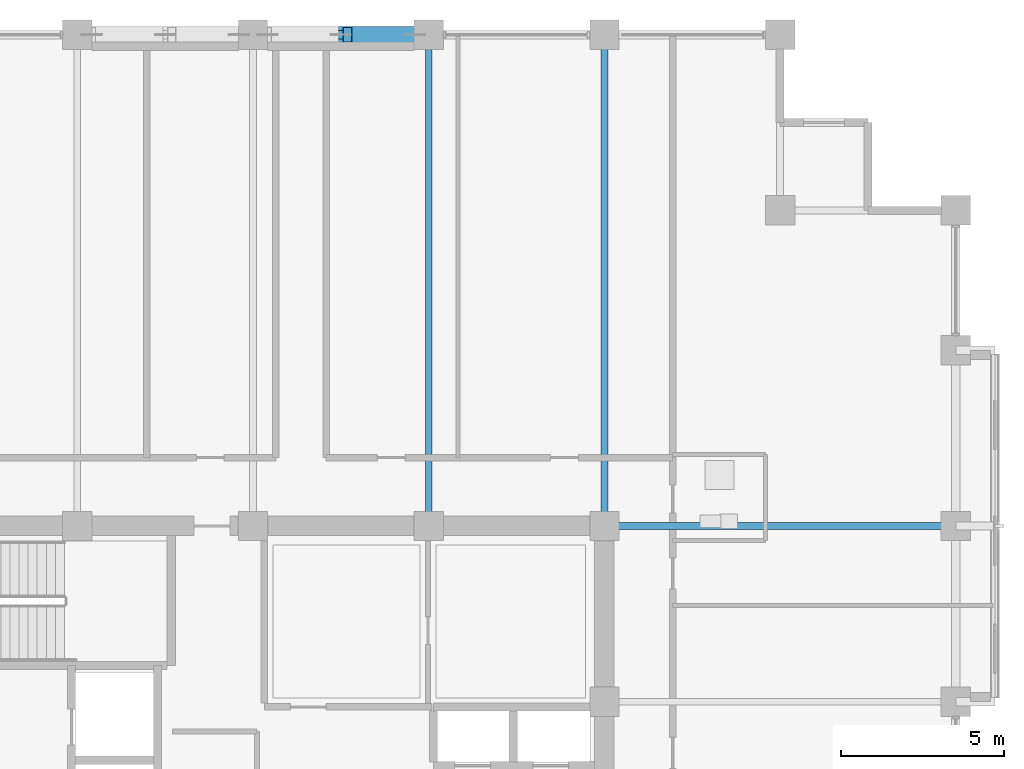
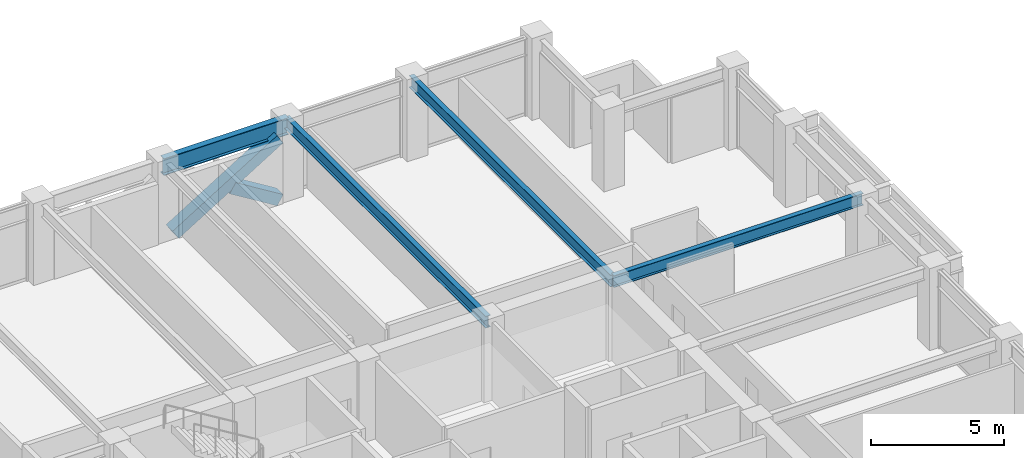
# One storey, part 21 of 32: 4 beams, 2 members.
"""IFC4 building model written with IfcOpenShell, lengths in metres."""

from ifc_helpers import new_model, si_unit, direction, frame, origin, origin_2d, place, context, subcontext, project, spatial, hollow_rectangle, i_section, extrude, material, material_profile, profile_set, type_object, element, save


model = new_model("IFC4")

# Units and contexts
model_context = context("Model", 3, precision=1e-05, world=origin(), true_north=direction((0.0, 1.0)))
body_context = subcontext(model_context, "Body", "Model", "MODEL_VIEW")
ifc_project = project(units=[si_unit("LENGTHUNIT", "METRE"), si_unit("AREAUNIT", "SQUARE_METRE"), si_unit("VOLUMEUNIT", "CUBIC_METRE"), si_unit("PLANEANGLEUNIT", "RADIAN"), si_unit("MASSUNIT", "GRAM", prefix="KILO")], contexts=[model_context])

# Site, building, storey
site_placement = place(None, origin())
site = spatial("IfcSite", under=ifc_project, at=site_placement, CompositionType="ELEMENT")
building_placement = place(site_placement, origin())
building = spatial("IfcBuilding", under=site, at=building_placement, Name="Surkhivell Harbour Commons", CompositionType="ELEMENT")
storey_placement = place(building_placement, frame((0.0, 0.0, 186.0)))
storey = spatial("IfcBuildingStorey", under=building, at=storey_placement, Name="L48", CompositionType="ELEMENT", Elevation=186.0)

# Beams
ifc_material_1 = material(Name="Steel S355", Category="steel")
ifc_material_profile_1 = material_profile(ifc_material_1, i_section(OverallWidth=0.2119140625, OverallDepth=0.5439453125, WebThickness=0.0126953125, FlangeThickness=0.021240234375, at=origin_2d()), Name="UB533x210x122")
ifc_profile_set_1 = profile_set([ifc_material_profile_1], Name="Steel S355")
beam_type_1 = type_object("IfcBeamType", Name="BM-GRD-533A", PredefinedType="BEAM", material=ifc_profile_set_1)
for number, where, z_axis, x_axis, name in (
    (1, (5.39990234375, 10.800048828125, 3.298095703125), (0.0, 1.0, 0.0), (-1.0, 0.0, 0.0), "L48 Floor Girder (5.4,10.8)"),
    (2, (10.800048828125, 10.800048828125, 3.298095703125), (0.0, 1.0, 0.0), (-1.0, 0.0, 0.0), "L48 Floor Girder (10.8,10.8)"),
):
    element("IfcBeam", number, at=place(storey_placement, frame(where, z_axis=z_axis, x_axis=x_axis)), inside=storey, type_object=beam_type_1, Name=name, PredefinedType="BEAM", context=body_context, shape_type="SweptSolid", body=[
        extrude(i_section(OverallWidth=0.2119140625, OverallDepth=0.5439453125, WebThickness=0.0126953125, FlangeThickness=0.021240234375, at=origin_2d()), origin(), (0.0, 0.0, 1.0), 15.099853515625),
    ])
beam_1_placement = place(storey_placement, frame((10.800048828125, 10.800048828125, 3.298095703125), z_axis=(1.0, 0.0, 0.0), x_axis=(0.0, 1.0, 0.0)))
element("IfcBeam", 3, at=beam_1_placement, inside=storey, type_object=beam_type_1, Name="L48 Floor Girder (10.8,10.8)", PredefinedType="BEAM", context=body_context, shape_type="SweptSolid", body=[
    extrude(i_section(OverallWidth=0.2119140625, OverallDepth=0.5439453125, WebThickness=0.0126953125, FlangeThickness=0.021240234375, at=origin_2d()), origin(), (0.0, 0.0, 1.0), 10.800048828125),
])
ifc_material_profile_2 = material_profile(ifc_material_1, i_section(OverallWidth=0.26806640625, OverallDepth=0.77001953125, WebThickness=0.015625, FlangeThickness=0.025390625, at=origin_2d()), Name="UB762x267x197")
ifc_profile_set_2 = profile_set([ifc_material_profile_2], Name="Steel S355")
beam_type_2 = type_object("IfcBeamType", Name="BM-SPN-762", PredefinedType="SPANDREL", material=ifc_profile_set_2)
beam_2_placement = place(storey_placement, frame((0.0, 25.89990234375, 3.18505859375), z_axis=(1.0, 0.0, 0.0), x_axis=(0.0, 1.0, 0.0)))
element("IfcBeam", 4, at=beam_2_placement, inside=storey, type_object=beam_type_2, Name="L48 Tube Spandrel (-0.0,25.9)", PredefinedType="SPANDREL", context=body_context, shape_type="SweptSolid", body=[
    extrude(i_section(OverallWidth=0.26806640625, OverallDepth=0.77001953125, WebThickness=0.015625, FlangeThickness=0.025390625, at=origin_2d()), origin(), (0.0, 0.0, 1.0), 5.39990234375),
])

# Members
ifc_material_2 = material(Name="Steel S460", Category="steel")
ifc_material_profile_3 = material_profile(ifc_material_2, hollow_rectangle(XDim=0.5, YDim=0.5, WallThickness=0.02490234375, at=origin_2d()), Name="SHS500x500x25")
ifc_profile_set_3 = profile_set([ifc_material_profile_3], Name="Steel S460")
member_type = type_object("IfcMemberType", Name="MEM-BRC-SHS500", PredefinedType="BRACE", material=ifc_profile_set_3)
member_1_placement = place(storey_placement, frame((0.43505859375, 25.89990234375, 0.008056640625), z_axis=(0.850971032488, 0.0, 0.525212625387), x_axis=(0.0, 1.0, 0.0)))
element("IfcMember", 5, at=member_1_placement, inside=storey, type_object=member_type, Name="L48 Perimeter Mega-Brace MB- 04", PredefinedType="BRACE", context=body_context, shape_type="SweptSolid", body=[
    extrude(hollow_rectangle(XDim=0.5, YDim=0.5, WallThickness=0.02490234375, at=origin_2d()), origin(), (0.0, 0.0, 1.0), 5.323486328125),
])
member_2_placement = place(storey_placement, frame((4.965087890625, 25.89990234375, 0.008056640625), z_axis=(-0.8510034189, 0.0, 0.525160147974), x_axis=(0.0, -1.0, 0.0)))
element("IfcMember", 6, at=member_2_placement, inside=storey, type_object=member_type, Name="L48 Perimeter Mega-Brace MB- 05", PredefinedType="BRACE", context=body_context, shape_type="SweptSolid", body=[
    extrude(hollow_rectangle(XDim=0.5, YDim=0.5, WallThickness=0.02490234375, at=origin_2d()), origin(), (0.0, 0.0, 1.0), 2.421630859375),
])

save(model, "model.ifc")
